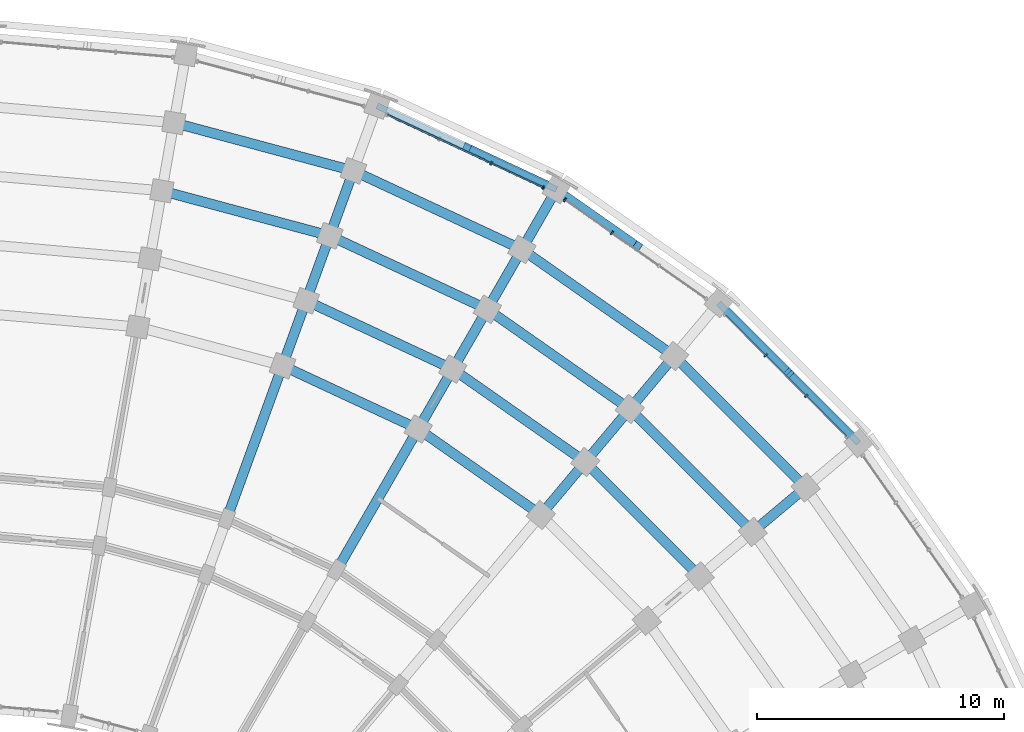
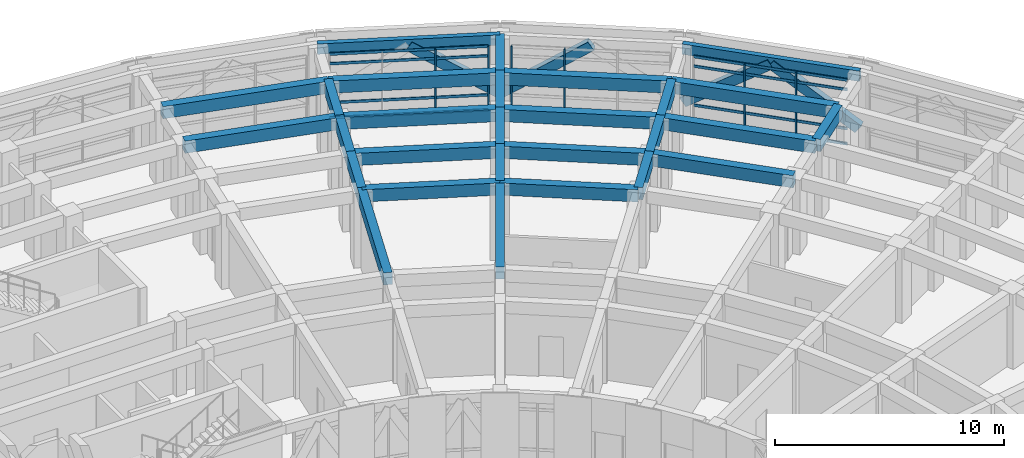
# One storey, part 35 of 97: 32 beams, 14 members, 3 elements without a shape of their own.
"""IFC4 building model written with IfcOpenShell, lengths in metres."""

from ifc_helpers import new_model, si_unit, direction, frame, origin, origin_2d, place, context, subcontext, project, spatial, rectangle, extrude, material, material_profile, profile_set, type_object, element, aggregate, save


model = new_model("IFC4")

# Units and contexts
model_context = context("Model", 3, precision=1e-05, world=origin(), true_north=direction((0.0, 1.0)))
body_context = subcontext(model_context, "Body", "Model", "MODEL_VIEW")
ifc_project = project(units=[si_unit("LENGTHUNIT", "METRE"), si_unit("AREAUNIT", "SQUARE_METRE"), si_unit("VOLUMEUNIT", "CUBIC_METRE"), si_unit("PLANEANGLEUNIT", "RADIAN"), si_unit("MASSUNIT", "GRAM", prefix="KILO")], contexts=[model_context])

# Site, building, storey
site_placement = place(None, origin())
site = spatial("IfcSite", under=ifc_project, at=site_placement, CompositionType="ELEMENT")
building_placement = place(site_placement, origin())
building = spatial("IfcBuilding", under=site, at=building_placement, Name="Kiranvali Square Residences", CompositionType="ELEMENT")
storey_placement = place(building_placement, frame((0.0, 0.0, 4.5)))
storey = spatial("IfcBuildingStorey", under=building, at=storey_placement, Name="L01", CompositionType="ELEMENT", Elevation=4.5)

# Beams
ifc_material_1 = material(Name="Concrete M40 (40 MPa)", Category="concrete")
ifc_material_profile_1 = material_profile(ifc_material_1, rectangle(XDim=0.35009765625, YDim=0.5, at=origin_2d()), Name="RC 350x500")
ifc_profile_set_1 = profile_set([ifc_material_profile_1], Name="Concrete M40 (40 MPa)")
beam_type_1 = type_object("IfcBeamType", Name="AR-M40-350x500", PredefinedType="USERDEFINED", material=ifc_profile_set_1)
beam_1_placement = place(storey_placement, frame((139.16650390625, 129.33154296875, 3.64990234375), z_axis=(0.744959817365, -0.347401853205, -0.56951455021), x_axis=(0.422639631689, 0.906297821759, 0.0)))
element("IfcBeam", 1, at=beam_1_placement, inside=storey, type_object=beam_type_1, Name="Classical pointed Ottoman arch rib ARCH-B-CRV-7-02.2", ObjectType="ARCH RIB", PredefinedType="USERDEFINED", context=body_context, shape_type="SweptSolid", body=[
    extrude(rectangle(XDim=0.35009765625, YDim=0.5, at=origin_2d()), origin(), (0.0, 0.0, 1.0), 4.82861328125),
])
for number, where, z_axis, x_axis, name in (
    (2, (142.832763671875, 127.6142578125, 0.89990234375), (0.673345915945, -0.47146348297, 0.569497551975), (0.57356141334, 0.819162563309, 0.0), "Classical pointed Ottoman arch rib ARCH-B-CRV-7-03.1"),
    (3, (149.396484375, 123.009765625, 0.89990234375), (0.581233735807, -0.581233735807, 0.569503897019), (0.707106781187, 0.707106781187, 0.0), "Classical pointed Ottoman arch rib ARCH-B-CRV-7-04.1"),
    (4, (152.203125, 120.203125, 3.64990234375), (0.581233735807, -0.581233735807, -0.569503897019), (0.707106781187, 0.707106781187, 0.0), "Classical pointed Ottoman arch rib ARCH-B-CRV-7-04.2"),
):
    element("IfcBeam", number, at=place(storey_placement, frame(where, z_axis=z_axis, x_axis=x_axis)), inside=storey, type_object=beam_type_1, Name=name, ObjectType="ARCH RIB", PredefinedType="USERDEFINED", context=body_context, shape_type="SweptSolid", body=[
        extrude(rectangle(XDim=0.35009765625, YDim=0.5, at=origin_2d()), origin(), (0.0, 0.0, 1.0), 4.828857421875),
    ])
ifc_material_2 = material(Name="Concrete M45 (45 MPa)", Category="concrete")
ifc_material_profile_2 = material_profile(ifc_material_2, rectangle(XDim=0.39990234375, YDim=0.64990234375, at=origin_2d()), Name="RC 400x650")
ifc_profile_set_2 = profile_set([ifc_material_profile_2], Name="Concrete M45 (45 MPa)")
beam_type_2 = type_object("IfcBeamType", Name="BM-M45-400x650", PredefinedType="BEAM", material=ifc_profile_set_2)
beam_2_placement = place(storey_placement, frame((126.8154296875, 127.586181640625, 3.655029296875), z_axis=(0.965931029817, -0.258799624492, 0.0), x_axis=(0.258799624492, 0.965931029817, 0.0)))
element("IfcBeam", 5, at=beam_2_placement, inside=storey, type_object=beam_type_2, Name="L01 beam BM-B-L01-C01-R5", PredefinedType="BEAM", context=body_context, shape_type="SweptSolid", body=[
    extrude(rectangle(XDim=0.39990234375, YDim=0.64990234375, at=origin_2d()), origin(), (0.0, 0.0, 1.0), 7.042236328125),
])
beam_3_placement = place(storey_placement, frame((127.301513671875, 130.34375, 3.655029296875), z_axis=(0.965925909693, -0.258818733833, 0.0), x_axis=(0.258818733833, 0.965925909693, 0.0)))
element("IfcBeam", 6, at=beam_3_placement, inside=storey, type_object=beam_type_2, Name="L01 beam BM-B-L01-C01-R6", PredefinedType="BEAM", context=body_context, shape_type="SweptSolid", body=[
    extrude(rectangle(XDim=0.39990234375, YDim=0.64990234375, at=origin_2d()), origin(), (0.0, 0.0, 1.0), 7.5302734375),
])
beam_4_placement = place(storey_placement, frame((131.702392578125, 120.501220703125, 3.655029296875), z_axis=(0.906312656069, -0.42260781991, 0.0), x_axis=(0.42260781991, 0.906312656069, 0.0)))
element("IfcBeam", 7, at=beam_4_placement, inside=storey, type_object=beam_type_2, Name="L01 beam BM-B-L01-C02-R3", PredefinedType="BEAM", context=body_context, shape_type="SweptSolid", body=[
    extrude(rectangle(XDim=0.39990234375, YDim=0.64990234375, at=origin_2d()), origin(), (0.0, 0.0, 1.0), 6.06591796875),
])
beam_5_placement = place(storey_placement, frame((132.659912109375, 123.13232421875, 3.655029296875), z_axis=(0.906318225223, -0.422595876255, 0.0), x_axis=(0.422595876255, 0.906318225223, 0.0)))
element("IfcBeam", 8, at=beam_5_placement, inside=storey, type_object=beam_type_2, Name="L01 beam BM-B-L01-C02-R4", PredefinedType="BEAM", context=body_context, shape_type="SweptSolid", body=[
    extrude(rectangle(XDim=0.39990234375, YDim=0.64990234375, at=origin_2d()), origin(), (0.0, 0.0, 1.0), 6.55419921875),
])
beam_6_placement = place(storey_placement, frame((133.61767578125, 125.763671875, 3.655029296875), z_axis=(0.906297360311, -0.422640621205, 0.0), x_axis=(0.422640621205, 0.906297360311, 0.0)))
element("IfcBeam", 9, at=beam_6_placement, inside=storey, type_object=beam_type_2, Name="L01 beam BM-B-L01-C02-R5", PredefinedType="BEAM", context=body_context, shape_type="SweptSolid", body=[
    extrude(rectangle(XDim=0.39990234375, YDim=0.64990234375, at=origin_2d()), origin(), (0.0, 0.0, 1.0), 7.042236328125),
])
beam_7_placement = place(storey_placement, frame((134.5751953125, 128.394775390625, 3.655029296875), z_axis=(0.90630982703, -0.422613886933, 0.0), x_axis=(0.422613886933, 0.90630982703, 0.0)))
element("IfcBeam", 10, at=beam_7_placement, inside=storey, type_object=beam_type_2, Name="L01 beam BM-B-L01-C02-R6", PredefinedType="BEAM", context=body_context, shape_type="SweptSolid", body=[
    extrude(rectangle(XDim=0.39990234375, YDim=0.64990234375, at=origin_2d()), origin(), (0.0, 0.0, 1.0), 7.5302734375),
])
beam_8_placement = place(storey_placement, frame((137.199951171875, 117.937744140625, 3.655029296875), z_axis=(0.81913926159, -0.573594691504, 0.0), x_axis=(0.573594691504, 0.81913926159, 0.0)))
element("IfcBeam", 11, at=beam_8_placement, inside=storey, type_object=beam_type_2, Name="L01 beam BM-B-L01-C03-R3", PredefinedType="BEAM", context=body_context, shape_type="SweptSolid", body=[
    extrude(rectangle(XDim=0.39990234375, YDim=0.64990234375, at=origin_2d()), origin(), (0.0, 0.0, 1.0), 6.066162109375),
])
beam_9_placement = place(storey_placement, frame((138.60009765625, 120.362548828125, 3.655029296875), z_axis=(0.819144409176, -0.573587340268, 0.0), x_axis=(0.573587340268, 0.819144409176, 0.0)))
element("IfcBeam", 12, at=beam_9_placement, inside=storey, type_object=beam_type_2, Name="L01 beam BM-B-L01-C03-R4", PredefinedType="BEAM", context=body_context, shape_type="SweptSolid", body=[
    extrude(rectangle(XDim=0.39990234375, YDim=0.64990234375, at=origin_2d()), origin(), (0.0, 0.0, 1.0), 6.553955078125),
])
beam_10_placement = place(storey_placement, frame((140.0, 122.787353515625, 3.655029296875), z_axis=(0.819160249246, -0.57356471828, 0.0), x_axis=(0.57356471828, 0.819160249246, 0.0)))
element("IfcBeam", 13, at=beam_10_placement, inside=storey, type_object=beam_type_2, Name="L01 beam BM-B-L01-C03-R5", PredefinedType="BEAM", context=body_context, shape_type="SweptSolid", body=[
    extrude(rectangle(XDim=0.39990234375, YDim=0.64990234375, at=origin_2d()), origin(), (0.0, 0.0, 1.0), 7.0419921875),
])
beam_11_placement = place(storey_placement, frame((141.39990234375, 125.21240234375, 3.655029296875), z_axis=(0.819143569597, -0.573588539275, 0.0), x_axis=(0.573588539275, 0.819143569597, 0.0)))
element("IfcBeam", 14, at=beam_11_placement, inside=storey, type_object=beam_type_2, Name="L01 beam BM-B-L01-C03-R6", PredefinedType="BEAM", context=body_context, shape_type="SweptSolid", body=[
    extrude(rectangle(XDim=0.39990234375, YDim=0.64990234375, at=origin_2d()), origin(), (0.0, 0.0, 1.0), 7.5302734375),
])
beam_12_placement = place(storey_placement, frame((143.96875, 116.603271484375, 3.655029296875), z_axis=(0.707106781187, -0.707106781187, 0.0), x_axis=(0.707106781187, 0.707106781187, 0.0)))
element("IfcBeam", 15, at=beam_12_placement, inside=storey, type_object=beam_type_2, Name="L01 beam BM-B-L01-C04-R4", PredefinedType="BEAM", context=body_context, shape_type="SweptSolid", body=[
    extrude(rectangle(XDim=0.39990234375, YDim=0.64990234375, at=origin_2d()), origin(), (0.0, 0.0, 1.0), 6.55419921875),
])
beam_13_placement = place(storey_placement, frame((145.7685546875, 118.748291015625, 3.655029296875), z_axis=(0.707106781187, -0.707106781187, 0.0), x_axis=(0.707106781187, 0.707106781187, 0.0)))
element("IfcBeam", 16, at=beam_13_placement, inside=storey, type_object=beam_type_2, Name="L01 beam BM-B-L01-C04-R5", PredefinedType="BEAM", context=body_context, shape_type="SweptSolid", body=[
    extrude(rectangle(XDim=0.39990234375, YDim=0.64990234375, at=origin_2d()), origin(), (0.0, 0.0, 1.0), 7.04248046875),
])
beam_14_placement = place(storey_placement, frame((147.568359375, 120.89306640625, 3.655029296875), z_axis=(0.707106781187, -0.707106781187, 0.0), x_axis=(0.707106781187, 0.707106781187, 0.0)))
element("IfcBeam", 17, at=beam_14_placement, inside=storey, type_object=beam_type_2, Name="L01 beam BM-B-L01-C04-R6", PredefinedType="BEAM", context=body_context, shape_type="SweptSolid", body=[
    extrude(rectangle(XDim=0.39990234375, YDim=0.64990234375, at=origin_2d()), origin(), (0.0, 0.0, 1.0), 7.5302734375),
])
beam_15_placement = place(storey_placement, frame((129.445068359375, 114.29931640625, 3.655029296875), z_axis=(0.342022238372, 0.939691858249, 0.0), x_axis=(-0.939691858249, 0.342022238372, 0.0)))
element("IfcBeam", 18, at=beam_15_placement, inside=storey, type_object=beam_type_2, Name="L01 beam BM-B-L01-RAD02-23", PredefinedType="BEAM", context=body_context, shape_type="SweptSolid", body=[
    extrude(rectangle(XDim=0.39990234375, YDim=0.64990234375, at=origin_2d()), origin(), (0.0, 0.0, 1.0), 6.599853515625),
])
beam_16_placement = place(storey_placement, frame((131.702392578125, 120.501220703125, 3.655029296875), z_axis=(0.341981089711, 0.93970683422, 0.0), x_axis=(-0.93970683422, 0.341981089711, 0.0)))
element("IfcBeam", 19, at=beam_16_placement, inside=storey, type_object=beam_type_2, Name="L01 beam BM-B-L01-RAD02-34", PredefinedType="BEAM", context=body_context, shape_type="SweptSolid", body=[
    extrude(rectangle(XDim=0.39990234375, YDim=0.64990234375, at=origin_2d()), origin(), (0.0, 0.0, 1.0), 2.7998046875),
])
beam_17_placement = place(storey_placement, frame((132.659912109375, 123.13232421875, 3.655029296875), z_axis=(0.342030060398, 0.939689011208, 0.0), x_axis=(-0.939689011208, 0.342030060398, 0.0)))
element("IfcBeam", 20, at=beam_17_placement, inside=storey, type_object=beam_type_2, Name="L01 beam BM-B-L01-RAD02-45", PredefinedType="BEAM", context=body_context, shape_type="SweptSolid", body=[
    extrude(rectangle(XDim=0.39990234375, YDim=0.64990234375, at=origin_2d()), origin(), (0.0, 0.0, 1.0), 2.80029296875),
])
beam_18_placement = place(storey_placement, frame((133.61767578125, 125.763671875, 3.655029296875), z_axis=(0.341981089711, 0.93970683422, 0.0), x_axis=(-0.93970683422, 0.341981089711, 0.0)))
element("IfcBeam", 21, at=beam_18_placement, inside=storey, type_object=beam_type_2, Name="L01 beam BM-B-L01-RAD02-56", PredefinedType="BEAM", context=body_context, shape_type="SweptSolid", body=[
    extrude(rectangle(XDim=0.39990234375, YDim=0.64990234375, at=origin_2d()), origin(), (0.0, 0.0, 1.0), 2.7998046875),
])
beam_19_placement = place(storey_placement, frame((133.89990234375, 112.221923828125, 3.655029296875), z_axis=(0.500002094529, 0.866024194504, 0.0), x_axis=(-0.866024194504, 0.500002094529, 0.0)))
element("IfcBeam", 22, at=beam_19_placement, inside=storey, type_object=beam_type_2, Name="L01 beam BM-B-L01-RAD03-23", PredefinedType="BEAM", context=body_context, shape_type="SweptSolid", body=[
    extrude(rectangle(XDim=0.39990234375, YDim=0.64990234375, at=origin_2d()), origin(), (0.0, 0.0, 1.0), 6.60009765625),
])
beam_20_placement = place(storey_placement, frame((137.199951171875, 117.937744140625, 3.655029296875), z_axis=(0.500049511043, 0.865996816683, 0.0), x_axis=(-0.865996816683, 0.500049511043, 0.0)))
element("IfcBeam", 23, at=beam_20_placement, inside=storey, type_object=beam_type_2, Name="L01 beam BM-B-L01-RAD03-34", PredefinedType="BEAM", context=body_context, shape_type="SweptSolid", body=[
    extrude(rectangle(XDim=0.39990234375, YDim=0.64990234375, at=origin_2d()), origin(), (0.0, 0.0, 1.0), 2.800048828125),
])
beam_21_placement = place(storey_placement, frame((138.60009765625, 120.362548828125, 3.655029296875), z_axis=(0.49998411664, 0.866034573852, 0.0), x_axis=(-0.866034573852, 0.49998411664, 0.0)))
element("IfcBeam", 24, at=beam_21_placement, inside=storey, type_object=beam_type_2, Name="L01 beam BM-B-L01-RAD03-45", PredefinedType="BEAM", context=body_context, shape_type="SweptSolid", body=[
    extrude(rectangle(XDim=0.39990234375, YDim=0.64990234375, at=origin_2d()), origin(), (0.0, 0.0, 1.0), 2.7998046875),
])
for number, where, z_axis, x_axis, name in (
    (25, (140.0, 122.787353515625, 3.655029296875), (0.49994636267, 0.866056369097, 0.0), (-0.866056369097, 0.49994636267, 0.0), "L01 beam BM-B-L01-RAD03-56"),
    (26, (141.39990234375, 125.21240234375, 3.655029296875), (0.500049511043, 0.865996816683, 0.0), (-0.865996816683, 0.500049511043, 0.0), "L01 beam BM-B-L01-RAD03-67"),
    (27, (142.1689453125, 114.458251953125, 3.655029296875), (0.642770757628, 0.766058583359, 0.0), (-0.766058583359, 0.642770757628, 0.0), "L01 beam BM-B-L01-RAD04-34"),
    (28, (143.96875, 116.603271484375, 3.655029296875), (0.642770757628, 0.766058583359, 0.0), (-0.766058583359, 0.642770757628, 0.0), "L01 beam BM-B-L01-RAD04-45"),
):
    element("IfcBeam", number, at=place(storey_placement, frame(where, z_axis=z_axis, x_axis=x_axis)), inside=storey, type_object=beam_type_2, Name=name, PredefinedType="BEAM", context=body_context, shape_type="SweptSolid", body=[
        extrude(rectangle(XDim=0.39990234375, YDim=0.64990234375, at=origin_2d()), origin(), (0.0, 0.0, 1.0), 2.800048828125),
    ])
for number, where, z_axis, x_axis, name in (
    (29, (145.7685546875, 118.748291015625, 3.655029296875), (0.642813692253, 0.76602255649, 0.0), (-0.76602255649, 0.642813692253, 0.0), "L01 beam BM-B-L01-RAD04-56"),
    (30, (150.748291015625, 113.7685546875, 3.655029296875), (0.76602255649, 0.642813692253, 0.0), (-0.642813692253, 0.76602255649, 0.0), "L01 beam BM-B-L01-RAD05-56"),
):
    element("IfcBeam", number, at=place(storey_placement, frame(where, z_axis=z_axis, x_axis=x_axis)), inside=storey, type_object=beam_type_2, Name=name, PredefinedType="BEAM", context=body_context, shape_type="SweptSolid", body=[
        extrude(rectangle(XDim=0.39990234375, YDim=0.64990234375, at=origin_2d()), origin(), (0.0, 0.0, 1.0), 2.7998046875),
    ])

# Curtain wall, members
ifc_material_3 = material(Name="Anodised bronze aluminium framing", Category="aluminium")
curtain_wall_type = type_object("IfcCurtainWallType", Name="CW-RET-SHOP", PredefinedType="USERDEFINED", material=ifc_material_3)
curtain_wall_1_placement = place(storey_placement, origin())
curtain_wall_1 = element("IfcCurtainWall", 31, at=curtain_wall_1_placement, inside=storey, type_object=curtain_wall_type, Name="Block B L01 rounded-corner arcade curtain wall 3", ObjectType="CURTAIN WALL", PredefinedType="USERDEFINED")
ifc_material_profile_3 = material_profile(ifc_material_3, rectangle(XDim=0.06494140625, YDim=0.159912109375, at=origin_2d()), Name="ALU 65x160")
ifc_profile_set_3 = profile_set([ifc_material_profile_3], Name="Anodised bronze aluminium framing")
member_type_1 = type_object("IfcMemberType", Name="CW-MUL-160", PredefinedType="MULLION", material=ifc_profile_set_3)
member_1_placement = place(storey_placement, frame((140.1572265625, 128.7041015625, 0.02001953125), z_axis=(0.0, 0.0, 1.0), x_axis=(0.906307787037, -0.422618261741, 0.0)))
member_1 = element("IfcMember", 32, at=member_1_placement, type_object=member_type_1, Name="CW-B-L01-CRV-02 vertical mullion 3", PredefinedType="MULLION", context=body_context, shape_type="SweptSolid", body=[
    extrude(rectangle(XDim=0.06494140625, YDim=0.159912109375, at=origin_2d()), origin(), (0.0, 0.0, 1.0), 3.43994140625),
])
member_2_placement = place(storey_placement, frame((142.265380859375, 127.720947265625, 0.02001953125), z_axis=(0.0, 0.0, 1.0), x_axis=(0.906307787037, -0.422618261741, 0.0)))
member_2 = element("IfcMember", 33, at=member_2_placement, type_object=member_type_1, Name="CW-B-L01-CRV-02 vertical mullion 4", PredefinedType="MULLION", context=body_context, shape_type="SweptSolid", body=[
    extrude(rectangle(XDim=0.06494140625, YDim=0.159912109375, at=origin_2d()), origin(), (0.0, 0.0, 1.0), 3.43994140625),
])

curtain_wall_2_placement = place(storey_placement, origin())
curtain_wall_2 = element("IfcCurtainWall", 34, at=curtain_wall_2_placement, inside=storey, type_object=curtain_wall_type, Name="Block B L01 rounded-corner arcade curtain wall 4", ObjectType="CURTAIN WALL", PredefinedType="USERDEFINED")
member_3_placement = place(storey_placement, frame((143.139892578125, 127.216064453125, 0.02001953125), z_axis=(0.0, 0.0, 1.0), x_axis=(0.819152044289, -0.573576436351, 0.0)))
member_3 = element("IfcMember", 35, at=member_3_placement, type_object=member_type_1, Name="CW-B-L01-CRV-03 vertical mullion 1", PredefinedType="MULLION", context=body_context, shape_type="SweptSolid", body=[
    extrude(rectangle(XDim=0.06494140625, YDim=0.159912109375, at=origin_2d()), origin(), (0.0, 0.0, 1.0), 3.43994140625),
])
member_4_placement = place(storey_placement, frame((145.04541015625, 125.8818359375, 0.02001953125), z_axis=(0.0, 0.0, 1.0), x_axis=(0.819152044289, -0.573576436351, 0.0)))
member_4 = element("IfcMember", 36, at=member_4_placement, type_object=member_type_1, Name="CW-B-L01-CRV-03 vertical mullion 2", PredefinedType="MULLION", context=body_context, shape_type="SweptSolid", body=[
    extrude(rectangle(XDim=0.06494140625, YDim=0.159912109375, at=origin_2d()), origin(), (0.0, 0.0, 1.0), 3.43994140625),
])
aggregate(curtain_wall_2, [member_3, member_4])

curtain_wall_3_placement = place(storey_placement, origin())
curtain_wall_3 = element("IfcCurtainWall", 37, at=curtain_wall_3_placement, inside=storey, type_object=curtain_wall_type, Name="Block B L01 rounded-corner arcade curtain wall 5", ObjectType="CURTAIN WALL", PredefinedType="USERDEFINED")
member_5_placement = place(storey_placement, frame((151.274658203125, 120.91943359375, 0.02001953125), z_axis=(0.0, 0.0, 1.0), x_axis=(0.707106781187, -0.707106781187, 0.0)))
member_5 = element("IfcMember", 38, at=member_5_placement, type_object=member_type_1, Name="CW-B-L01-CRV-04 vertical mullion 2", PredefinedType="MULLION", context=body_context, shape_type="SweptSolid", body=[
    extrude(rectangle(XDim=0.06494140625, YDim=0.159912109375, at=origin_2d()), origin(), (0.0, 0.0, 1.0), 3.43994140625),
])
member_6_placement = place(storey_placement, frame((152.91943359375, 119.274658203125, 0.02001953125), z_axis=(0.0, 0.0, 1.0), x_axis=(0.707106781187, -0.707106781187, 0.0)))
member_6 = element("IfcMember", 39, at=member_6_placement, type_object=member_type_1, Name="CW-B-L01-CRV-04 vertical mullion 3", PredefinedType="MULLION", context=body_context, shape_type="SweptSolid", body=[
    extrude(rectangle(XDim=0.06494140625, YDim=0.159912109375, at=origin_2d()), origin(), (0.0, 0.0, 1.0), 3.43994140625),
])

# Member
ifc_material_profile_4 = material_profile(ifc_material_3, rectangle(XDim=0.06494140625, YDim=0.139892578125, at=origin_2d()), Name="ALU 65x140")
ifc_profile_set_4 = profile_set([ifc_material_profile_4], Name="Anodised bronze aluminium framing")
member_type_2 = type_object("IfcMemberType", Name="CW-TRN-140", PredefinedType="MULLION", material=ifc_profile_set_4)
member_7_placement = place(storey_placement, frame((135.949951171875, 130.666015625, 0.0400390625), z_axis=(0.90629694339, -0.422641515237, 0.0), x_axis=(0.422641515237, 0.90629694339, 0.0)))
member_7 = element("IfcMember", 40, at=member_7_placement, type_object=member_type_2, Name="CW-B-L01-CRV-02 horizontal transom 1", PredefinedType="MULLION", context=body_context, shape_type="SweptSolid", body=[
    extrude(rectangle(XDim=0.06494140625, YDim=0.139892578125, at=origin_2d()), origin(), (0.0, 0.0, 1.0), 6.95849609375),
])

member_8_placement = place(storey_placement, frame((135.949951171875, 130.666015625, 0.85009765625), z_axis=(0.90629694339, -0.422641515237, 0.0), x_axis=(0.422641515237, 0.90629694339, 0.0)))
member_8 = element("IfcMember", 41, at=member_8_placement, type_object=member_type_2, Name="CW-B-L01-CRV-02 horizontal transom 2", PredefinedType="MULLION", context=body_context, shape_type="SweptSolid", body=[
    extrude(rectangle(XDim=0.06494140625, YDim=0.139892578125, at=origin_2d()), origin(), (0.0, 0.0, 1.0), 6.95849609375),
])

member_9_placement = place(storey_placement, frame((135.949951171875, 130.666015625, 2.929931640625), z_axis=(0.90629694339, -0.422641515237, 0.0), x_axis=(0.422641515237, 0.90629694339, 0.0)))
member_9 = element("IfcMember", 42, at=member_9_placement, type_object=member_type_2, Name="CW-B-L01-CRV-02 horizontal transom 3", PredefinedType="MULLION", context=body_context, shape_type="SweptSolid", body=[
    extrude(rectangle(XDim=0.06494140625, YDim=0.139892578125, at=origin_2d()), origin(), (0.0, 0.0, 1.0), 6.95849609375),
])

member_10_placement = place(storey_placement, frame((135.949951171875, 130.666015625, 3.43994140625), z_axis=(0.90629694339, -0.422641515237, 0.0), x_axis=(0.422641515237, 0.90629694339, 0.0)))
member_10 = element("IfcMember", 43, at=member_10_placement, type_object=member_type_2, Name="CW-B-L01-CRV-02 horizontal transom 4", PredefinedType="MULLION", context=body_context, shape_type="SweptSolid", body=[
    extrude(rectangle(XDim=0.06494140625, YDim=0.139892578125, at=origin_2d()), origin(), (0.0, 0.0, 1.0), 6.95849609375),
])

aggregate(curtain_wall_1, [member_1, member_2, member_7, member_8, member_9, member_10])

member_11_placement = place(storey_placement, frame((149.636962890625, 122.55712890625, 0.0400390625), z_axis=(0.707106781187, -0.707106781187, 0.0), x_axis=(0.707106781187, 0.707106781187, 0.0)))
member_11 = element("IfcMember", 44, at=member_11_placement, type_object=member_type_2, Name="CW-B-L01-CRV-04 horizontal transom 1", PredefinedType="MULLION", context=body_context, shape_type="SweptSolid", body=[
    extrude(rectangle(XDim=0.06494140625, YDim=0.139892578125, at=origin_2d()), origin(), (0.0, 0.0, 1.0), 6.958251953125),
])

member_12_placement = place(storey_placement, frame((149.636962890625, 122.55712890625, 0.85009765625), z_axis=(0.707106781187, -0.707106781187, 0.0), x_axis=(0.707106781187, 0.707106781187, 0.0)))
member_12 = element("IfcMember", 45, at=member_12_placement, type_object=member_type_2, Name="CW-B-L01-CRV-04 horizontal transom 2", PredefinedType="MULLION", context=body_context, shape_type="SweptSolid", body=[
    extrude(rectangle(XDim=0.06494140625, YDim=0.139892578125, at=origin_2d()), origin(), (0.0, 0.0, 1.0), 6.958251953125),
])

member_13_placement = place(storey_placement, frame((149.636962890625, 122.55712890625, 2.929931640625), z_axis=(0.707106781187, -0.707106781187, 0.0), x_axis=(0.707106781187, 0.707106781187, 0.0)))
member_13 = element("IfcMember", 46, at=member_13_placement, type_object=member_type_2, Name="CW-B-L01-CRV-04 horizontal transom 3", PredefinedType="MULLION", context=body_context, shape_type="SweptSolid", body=[
    extrude(rectangle(XDim=0.06494140625, YDim=0.139892578125, at=origin_2d()), origin(), (0.0, 0.0, 1.0), 6.958251953125),
])

member_14_placement = place(storey_placement, frame((149.636962890625, 122.55712890625, 3.43994140625), z_axis=(0.707106781187, -0.707106781187, 0.0), x_axis=(0.707106781187, 0.707106781187, 0.0)))
member_14 = element("IfcMember", 47, at=member_14_placement, type_object=member_type_2, Name="CW-B-L01-CRV-04 horizontal transom 4", PredefinedType="MULLION", context=body_context, shape_type="SweptSolid", body=[
    extrude(rectangle(XDim=0.06494140625, YDim=0.139892578125, at=origin_2d()), origin(), (0.0, 0.0, 1.0), 6.958251953125),
])

aggregate(curtain_wall_3, [member_5, member_6, member_11, member_12, member_13, member_14])

# Beams
ifc_material_profile_5 = material_profile(ifc_material_1, rectangle(XDim=0.25, YDim=0.550048828125, at=origin_2d()), Name="RC 250x550")
ifc_profile_set_5 = profile_set([ifc_material_profile_5], Name="Concrete M40 (40 MPa)")
beam_type_3 = type_object("IfcBeamType", Name="SPN-M40-250x550", PredefinedType="SPANDREL", material=ifc_profile_set_5)
beam_22_placement = place(storey_placement, frame((135.532958984375, 131.02587890625, 3.705078125), z_axis=(0.906309113636, -0.422615416827, 0.0), x_axis=(0.422615416827, 0.906309113636, 0.0)))
element("IfcBeam", 48, at=beam_22_placement, inside=storey, type_object=beam_type_3, Name="L01 beam BM-B-L01-C02-R7", PredefinedType="SPANDREL", context=body_context, shape_type="SweptSolid", body=[
    extrude(rectangle(XDim=0.25, YDim=0.550048828125, at=origin_2d()), origin(), (0.0, 0.0, 1.0), 8.018310546875),
])
beam_23_placement = place(storey_placement, frame((149.3681640625, 123.0380859375, 3.705078125), z_axis=(0.707106781187, -0.707106781187, 0.0), x_axis=(0.707106781187, 0.707106781187, 0.0)))
element("IfcBeam", 49, at=beam_23_placement, inside=storey, type_object=beam_type_3, Name="L01 beam BM-B-L01-C04-R7", PredefinedType="SPANDREL", context=body_context, shape_type="SweptSolid", body=[
    extrude(rectangle(XDim=0.25, YDim=0.550048828125, at=origin_2d()), origin(), (0.0, 0.0, 1.0), 8.0185546875),
])

save(model, "model.ifc")
